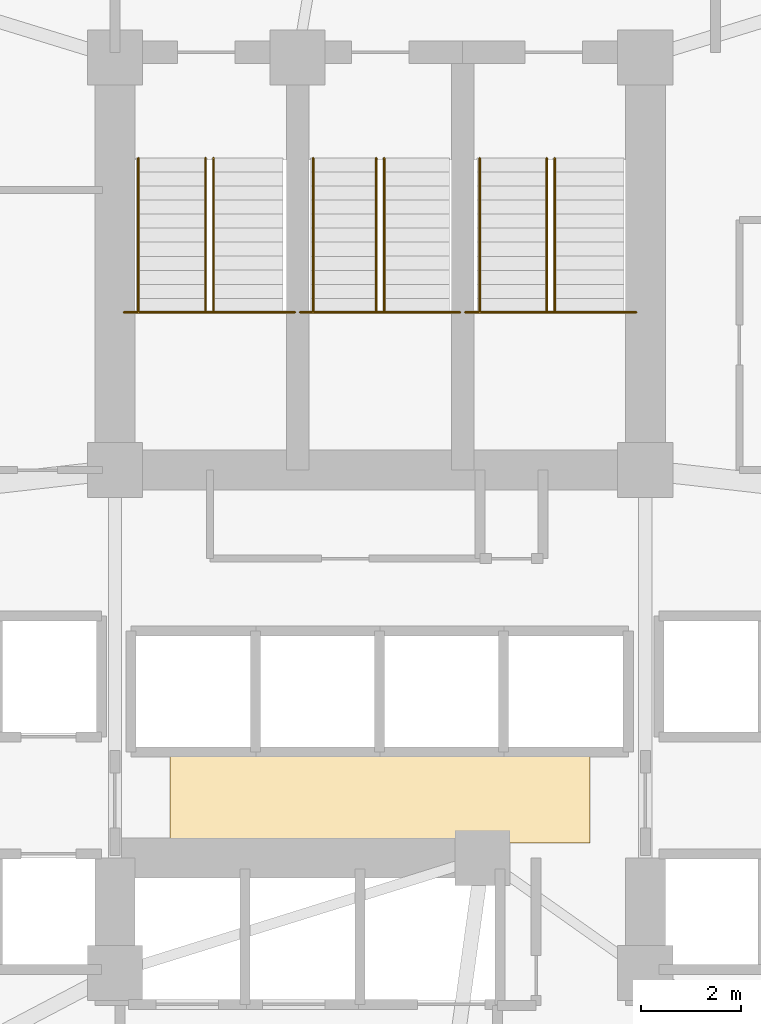
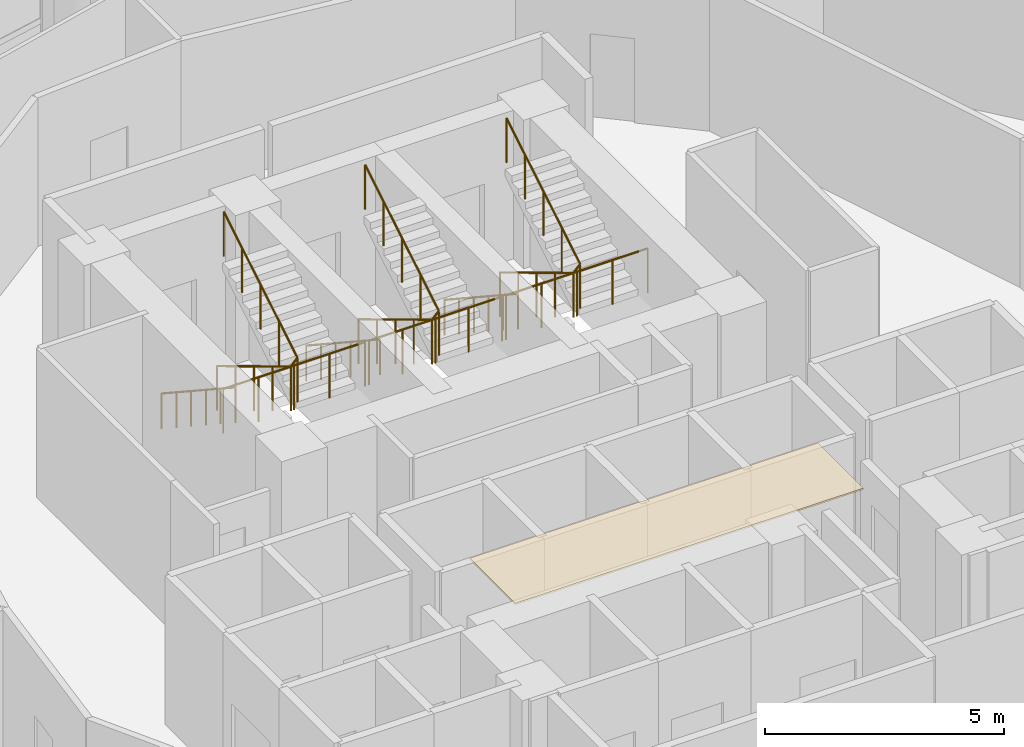
# One storey, part 25 of 25: 9 railings, 1 covering.
"""IFC4 building model written with IfcOpenShell, lengths in metres."""

from ifc_helpers import new_model, si_unit, direction, frame, origin, place, context, subcontext, project, spatial, polyline, outline, extrude, material, layer, layer_set, type_object, element, save


model = new_model("IFC4")

# Units and contexts
model_context = context("Model", 3, precision=1e-05, world=origin(), true_north=direction((0.0, 1.0)))
body_context = subcontext(model_context, "Body", "Model", "MODEL_VIEW")
ifc_project = project(units=[si_unit("LENGTHUNIT", "METRE"), si_unit("AREAUNIT", "SQUARE_METRE"), si_unit("VOLUMEUNIT", "CUBIC_METRE"), si_unit("PLANEANGLEUNIT", "RADIAN"), si_unit("MASSUNIT", "GRAM", prefix="KILO")], contexts=[model_context])

# Site, building, storey
site_placement = place(None, origin())
site = spatial("IfcSite", under=ifc_project, at=site_placement, CompositionType="ELEMENT")
building_placement = place(site_placement, origin())
building = spatial("IfcBuilding", under=site, at=building_placement, Name="Nuhasar Tower", CompositionType="ELEMENT")
storey_placement = place(building_placement, frame((0.0, 0.0, 45.300048828125)))
storey = spatial("IfcBuildingStorey", under=building, at=storey_placement, Name="L10", CompositionType="ELEMENT", Elevation=45.300048828125)

# Covering
ifc_material_1 = material(Name="Mineral Fibre Acoustic", Category="insulation")
ifc_layer = layer(ifc_material_1, 0.0400390625)
ifc_layer_set = layer_set([ifc_layer], Name="Mineral Fibre Acoustic")
covering_type = type_object("IfcCoveringType", Name="COV-CEIL-AC60", PredefinedType="CEILING", material=ifc_layer_set)
covering_placement = place(storey_placement, frame((0.0, 0.0, 3.75)))
element("IfcCovering", 1, at=covering_placement, inside=storey, type_object=covering_type, Name="L10 Lift Lobby Acoustic Ceiling", PredefinedType="CEILING", context=body_context, shape_type="SweptSolid", body=[
    extrude(outline(polyline([(34.800048828125, 21.60009765625), (43.199951171875, 21.60009765625), (43.199951171875, 23.5), (34.800048828125, 23.5), (34.800048828125, 21.60009765625)])), origin(), (0.0, 0.0, 1.0), 0.0400390625),
])

# Railings
ifc_material_2 = material(Name="Steel S355", Category="steel")
railing_type_1 = type_object("IfcRailingType", Name="RLG-STAIR-GUARD-1150", PredefinedType="GUARDRAIL", material=ifc_material_2)
railing_1_placement = place(storey_placement, frame((33.8798828125, 32.205078125, 2.02490234375)))
element("IfcRailing", 2, at=railing_1_placement, inside=storey, type_object=railing_type_1, Name="L10 Stair ST-01 Guardrail LND", PredefinedType="GUARDRAIL", context=body_context, shape_type="SweptSolid", body=[
    extrude(outline(polyline([(0.024169921875, 0.0), (0.01708984375, 0.01708984375), (0.0, 0.024169921875), (-0.01708984375, 0.01708984375), (-0.024169921875, 0.0), (-0.01708984375, -0.01708984375), (0.0, -0.024169921875), (0.01708984375, -0.01708984375), (0.024169921875, 0.0)])), frame((0.0, 0.0, 1.1259765625), z_axis=(1.0, 0.0, 0.0), x_axis=(0.0, 1.0, 0.0)), (0.0, 0.0, 1.0), 3.420166015625),
    extrude(outline(polyline([(0.02099609375, 0.0), (0.014892578125, 0.014892578125), (0.0, 0.02099609375), (-0.014892578125, 0.014892578125), (-0.02099609375, 0.0), (-0.014892578125, -0.014892578125), (0.0, -0.02099609375), (0.014892578125, -0.014892578125), (0.02099609375, 0.0)])), origin(), (0.0, 0.0, 1.0), 1.101806640625),
    extrude(outline(polyline([(0.02099609375, 0.0), (0.014892578125, 0.014892578125), (0.0, 0.02099609375), (-0.014892578125, 0.014892578125), (-0.02099609375, 0.0), (-0.014892578125, -0.014892578125), (0.0, -0.02099609375), (0.014892578125, -0.014892578125), (0.02099609375, 0.0)])), frame((0.85498046875, 0.0, 0.0)), (0.0, 0.0, 1.0), 1.101806640625),
    extrude(outline(polyline([(0.02099609375, 0.0), (0.014892578125, 0.014892578125), (0.0, 0.02099609375), (-0.014892578125, 0.014892578125), (-0.02099609375, 0.0), (-0.014892578125, -0.014892578125), (0.0, -0.02099609375), (0.014892578125, -0.014892578125), (0.02099609375, 0.0)])), frame((1.7099609375, 0.0, 0.0)), (0.0, 0.0, 1.0), 1.101806640625),
    extrude(outline(polyline([(0.02099609375, 0.0), (0.014892578125, 0.014892578125), (0.0, 0.02099609375), (-0.014892578125, 0.014892578125), (-0.02099609375, 0.0), (-0.014892578125, -0.014892578125), (0.0, -0.02099609375), (0.014892578125, -0.014892578125), (0.02099609375, 0.0)])), frame((2.565185546875, 0.0, 0.0)), (0.0, 0.0, 1.0), 1.101806640625),
    extrude(outline(polyline([(0.02099609375, 0.0), (0.014892578125, 0.014892578125), (0.0, 0.02099609375), (-0.014892578125, 0.014892578125), (-0.02099609375, 0.0), (-0.014892578125, -0.014892578125), (0.0, -0.02099609375), (0.014892578125, -0.014892578125), (0.02099609375, 0.0)])), frame((3.420166015625, 0.0, 0.0)), (0.0, 0.0, 1.0), 1.101806640625),
])
railing_2_placement = place(storey_placement, frame((35.510009765625, 35.284912109375, 0.1689453125)))
element("IfcRailing", 3, at=railing_2_placement, inside=storey, type_object=railing_type_1, Name="L10 Stair ST-01 Guardrail SLT", PredefinedType="GUARDRAIL", context=body_context, shape_type="SweptSolid", body=[
    extrude(outline(polyline([(0.024169921875, 0.0), (0.01708984375, 0.01708984375), (0.0, 0.024169921875), (-0.01708984375, 0.01708984375), (-0.024169921875, 0.0), (-0.01708984375, -0.01708984375), (0.0, -0.024169921875), (0.01708984375, -0.01708984375), (0.024169921875, 0.0)])), frame((0.0, 0.0, 1.1259765625), z_axis=(0.0, -0.856502863198, 0.516142272377), x_axis=(1.0, 0.0, 0.0)), (0.0, 0.0, 1.0), 3.595703125),
    extrude(outline(polyline([(0.024169921875, 0.0), (0.01708984375, 0.01708984375), (0.0, 0.024169921875), (-0.01708984375, 0.01708984375), (-0.024169921875, 0.0), (-0.01708984375, -0.01708984375), (0.0, -0.024169921875), (0.01708984375, -0.01708984375), (0.024169921875, 0.0)])), frame((0.0, -3.079833984375, 2.98193359375), z_axis=(0.687424367727, 0.0, 0.726255973232), x_axis=(0.0, 1.0, 0.0)), (0.0, 0.0, 1.0), 0.232666015625),
    extrude(outline(polyline([(0.024169921875, 0.0), (0.01708984375, 0.01708984375), (0.0, 0.024169921875), (-0.01708984375, 0.01708984375), (-0.024169921875, 0.0), (-0.01708984375, -0.01708984375), (0.0, -0.024169921875), (0.01708984375, -0.01708984375), (0.024169921875, 0.0)])), frame((0.159912109375, -3.079833984375, 3.15087890625), z_axis=(0.0, 0.8564728477, 0.51619207777), x_axis=(-1.0, 0.0, 0.0)), (0.0, 0.0, 1.0), 3.595947265625),
    extrude(outline(polyline([(0.02099609375, 0.0), (0.014892578125, 0.014892578125), (0.0, 0.02099609375), (-0.014892578125, 0.014892578125), (-0.02099609375, 0.0), (-0.014892578125, -0.014892578125), (0.0, -0.02099609375), (0.014892578125, -0.014892578125), (0.02099609375, 0.0)])), origin(), (0.0, 0.0, 1.0), 1.101806640625),
    extrude(outline(polyline([(0.02099609375, 0.0), (0.014892578125, 0.014892578125), (0.0, 0.02099609375), (-0.014892578125, 0.014892578125), (-0.02099609375, 0.0), (-0.014892578125, -0.014892578125), (0.0, -0.02099609375), (0.014892578125, -0.014892578125), (0.02099609375, 0.0)])), frame((0.0, -0.77001953125, 0.4638671875)), (0.0, 0.0, 1.0), 1.101806640625),
    extrude(outline(polyline([(0.02099609375, 0.0), (0.014892578125, 0.014892578125), (0.0, 0.02099609375), (-0.014892578125, 0.014892578125), (-0.02099609375, 0.0), (-0.014892578125, -0.014892578125), (0.0, -0.02099609375), (0.014892578125, -0.014892578125), (0.02099609375, 0.0)])), frame((0.0, -1.5400390625, 0.927978515625)), (0.0, 0.0, 1.0), 1.101806640625),
    extrude(outline(polyline([(0.02099609375, 0.0), (0.014892578125, 0.014892578125), (0.0, 0.02099609375), (-0.014892578125, 0.014892578125), (-0.02099609375, 0.0), (-0.014892578125, -0.014892578125), (0.0, -0.02099609375), (0.014892578125, -0.014892578125), (0.02099609375, 0.0)])), frame((0.0, -2.309814453125, 1.39208984375)), (0.0, 0.0, 1.0), 1.101806640625),
    extrude(outline(polyline([(0.02099609375, 0.0), (0.014892578125, 0.014892578125), (0.0, 0.02099609375), (-0.014892578125, 0.014892578125), (-0.02099609375, 0.0), (-0.014892578125, -0.014892578125), (0.0, -0.02099609375), (0.014892578125, -0.014892578125), (0.02099609375, 0.0)])), frame((0.0, -3.079833984375, 1.85595703125)), (0.0, 0.0, 1.0), 1.101806640625),
    extrude(outline(polyline([(0.02099609375, 0.0), (0.014892578125, 0.014892578125), (0.0, 0.02099609375), (-0.014892578125, 0.014892578125), (-0.02099609375, 0.0), (-0.014892578125, -0.014892578125), (0.0, -0.02099609375), (0.014892578125, -0.014892578125), (0.02099609375, 0.0)])), frame((0.159912109375, -3.079833984375, 2.02490234375)), (0.0, 0.0, 1.0), 1.101806640625),
    extrude(outline(polyline([(0.02099609375, 0.0), (0.014892578125, 0.014892578125), (0.0, 0.02099609375), (-0.014892578125, 0.014892578125), (-0.02099609375, 0.0), (-0.014892578125, -0.014892578125), (0.0, -0.02099609375), (0.014892578125, -0.014892578125), (0.02099609375, 0.0)])), frame((0.159912109375, -2.309814453125, 2.489013671875)), (0.0, 0.0, 1.0), 1.101806640625),
    extrude(outline(polyline([(0.02099609375, 0.0), (0.014892578125, 0.014892578125), (0.0, 0.02099609375), (-0.014892578125, 0.014892578125), (-0.02099609375, 0.0), (-0.014892578125, -0.014892578125), (0.0, -0.02099609375), (0.014892578125, -0.014892578125), (0.02099609375, 0.0)])), frame((0.159912109375, -1.5400390625, 2.953125)), (0.0, 0.0, 1.0), 1.101806640625),
    extrude(outline(polyline([(0.02099609375, 0.0), (0.014892578125, 0.014892578125), (0.0, 0.02099609375), (-0.014892578125, 0.014892578125), (-0.02099609375, 0.0), (-0.014892578125, -0.014892578125), (0.0, -0.02099609375), (0.014892578125, -0.014892578125), (0.02099609375, 0.0)])), frame((0.159912109375, -0.77001953125, 3.4169921875)), (0.0, 0.0, 1.0), 1.101806640625),
    extrude(outline(polyline([(0.02099609375, 0.0), (0.014892578125, 0.014892578125), (0.0, 0.02099609375), (-0.014892578125, 0.014892578125), (-0.02099609375, 0.0), (-0.014892578125, -0.014892578125), (0.0, -0.02099609375), (0.014892578125, -0.014892578125), (0.02099609375, 0.0)])), frame((0.159912109375, 0.0, 3.881103515625)), (0.0, 0.0, 1.0), 1.101806640625),
])
railing_3_placement = place(storey_placement, frame((37.39990234375, 32.205078125, 2.02490234375)))
element("IfcRailing", 4, at=railing_3_placement, inside=storey, type_object=railing_type_1, Name="L10 Stair ST-03 Guardrail LND", PredefinedType="GUARDRAIL", context=body_context, shape_type="SweptSolid", body=[
    extrude(outline(polyline([(0.024169921875, 0.0), (0.01708984375, 0.01708984375), (0.0, 0.024169921875), (-0.01708984375, 0.01708984375), (-0.024169921875, 0.0), (-0.01708984375, -0.01708984375), (0.0, -0.024169921875), (0.01708984375, -0.01708984375), (0.024169921875, 0.0)])), frame((0.0, 0.0, 1.1259765625), z_axis=(1.0, 0.0, 0.0), x_axis=(0.0, 1.0, 0.0)), (0.0, 0.0, 1.0), 3.2001953125),
    extrude(outline(polyline([(0.02099609375, 0.0), (0.014892578125, 0.014892578125), (0.0, 0.02099609375), (-0.014892578125, 0.014892578125), (-0.02099609375, 0.0), (-0.014892578125, -0.014892578125), (0.0, -0.02099609375), (0.014892578125, -0.014892578125), (0.02099609375, 0.0)])), origin(), (0.0, 0.0, 1.0), 1.101806640625),
    extrude(outline(polyline([(0.02099609375, 0.0), (0.014892578125, 0.014892578125), (0.0, 0.02099609375), (-0.014892578125, 0.014892578125), (-0.02099609375, 0.0), (-0.014892578125, -0.014892578125), (0.0, -0.02099609375), (0.014892578125, -0.014892578125), (0.02099609375, 0.0)])), frame((0.800048828125, 0.0, 0.0)), (0.0, 0.0, 1.0), 1.101806640625),
    extrude(outline(polyline([(0.02099609375, 0.0), (0.014892578125, 0.014892578125), (0.0, 0.02099609375), (-0.014892578125, 0.014892578125), (-0.02099609375, 0.0), (-0.014892578125, -0.014892578125), (0.0, -0.02099609375), (0.014892578125, -0.014892578125), (0.02099609375, 0.0)])), frame((1.60009765625, 0.0, 0.0)), (0.0, 0.0, 1.0), 1.101806640625),
    extrude(outline(polyline([(0.02099609375, 0.0), (0.014892578125, 0.014892578125), (0.0, 0.02099609375), (-0.014892578125, 0.014892578125), (-0.02099609375, 0.0), (-0.014892578125, -0.014892578125), (0.0, -0.02099609375), (0.014892578125, -0.014892578125), (0.02099609375, 0.0)])), frame((2.400146484375, 0.0, 0.0)), (0.0, 0.0, 1.0), 1.101806640625),
    extrude(outline(polyline([(0.02099609375, 0.0), (0.014892578125, 0.014892578125), (0.0, 0.02099609375), (-0.014892578125, 0.014892578125), (-0.02099609375, 0.0), (-0.014892578125, -0.014892578125), (0.0, -0.02099609375), (0.014892578125, -0.014892578125), (0.02099609375, 0.0)])), frame((3.2001953125, 0.0, 0.0)), (0.0, 0.0, 1.0), 1.101806640625),
])
railing_4_placement = place(storey_placement, frame((38.919921875, 35.284912109375, 0.1689453125)))
element("IfcRailing", 5, at=railing_4_placement, inside=storey, type_object=railing_type_1, Name="L10 Stair ST-03 Guardrail SLT", PredefinedType="GUARDRAIL", context=body_context, shape_type="SweptSolid", body=[
    extrude(outline(polyline([(0.024169921875, 0.0), (0.01708984375, 0.01708984375), (0.0, 0.024169921875), (-0.01708984375, 0.01708984375), (-0.024169921875, 0.0), (-0.01708984375, -0.01708984375), (0.0, -0.024169921875), (0.01708984375, -0.01708984375), (0.024169921875, 0.0)])), frame((0.0, 0.0, 1.1259765625), z_axis=(0.0, -0.856502863198, 0.516142272377), x_axis=(1.0, 0.0, 0.0)), (0.0, 0.0, 1.0), 3.595703125),
    extrude(outline(polyline([(0.024169921875, 0.0), (0.01708984375, 0.01708984375), (0.0, 0.024169921875), (-0.01708984375, 0.01708984375), (-0.024169921875, 0.0), (-0.01708984375, -0.01708984375), (0.0, -0.024169921875), (0.01708984375, -0.01708984375), (0.024169921875, 0.0)])), frame((0.0, -3.079833984375, 2.98193359375), z_axis=(0.687977326998, 0.0, 0.725732180309), x_axis=(0.0, 1.0, 0.0)), (0.0, 0.0, 1.0), 0.23291015625),
    extrude(outline(polyline([(0.024169921875, 0.0), (0.01708984375, 0.01708984375), (0.0, 0.024169921875), (-0.01708984375, 0.01708984375), (-0.024169921875, 0.0), (-0.01708984375, -0.01708984375), (0.0, -0.024169921875), (0.01708984375, -0.01708984375), (0.024169921875, 0.0)])), frame((0.16015625, -3.079833984375, 3.15087890625), z_axis=(0.0, 0.8564728477, 0.51619207777), x_axis=(-1.0, 0.0, 0.0)), (0.0, 0.0, 1.0), 3.595947265625),
    extrude(outline(polyline([(0.02099609375, 0.0), (0.014892578125, 0.014892578125), (0.0, 0.02099609375), (-0.014892578125, 0.014892578125), (-0.02099609375, 0.0), (-0.014892578125, -0.014892578125), (0.0, -0.02099609375), (0.014892578125, -0.014892578125), (0.02099609375, 0.0)])), origin(), (0.0, 0.0, 1.0), 1.101806640625),
    extrude(outline(polyline([(0.02099609375, 0.0), (0.014892578125, 0.014892578125), (0.0, 0.02099609375), (-0.014892578125, 0.014892578125), (-0.02099609375, 0.0), (-0.014892578125, -0.014892578125), (0.0, -0.02099609375), (0.014892578125, -0.014892578125), (0.02099609375, 0.0)])), frame((0.0, -0.77001953125, 0.4638671875)), (0.0, 0.0, 1.0), 1.101806640625),
    extrude(outline(polyline([(0.02099609375, 0.0), (0.014892578125, 0.014892578125), (0.0, 0.02099609375), (-0.014892578125, 0.014892578125), (-0.02099609375, 0.0), (-0.014892578125, -0.014892578125), (0.0, -0.02099609375), (0.014892578125, -0.014892578125), (0.02099609375, 0.0)])), frame((0.0, -1.5400390625, 0.927978515625)), (0.0, 0.0, 1.0), 1.101806640625),
    extrude(outline(polyline([(0.02099609375, 0.0), (0.014892578125, 0.014892578125), (0.0, 0.02099609375), (-0.014892578125, 0.014892578125), (-0.02099609375, 0.0), (-0.014892578125, -0.014892578125), (0.0, -0.02099609375), (0.014892578125, -0.014892578125), (0.02099609375, 0.0)])), frame((0.0, -2.309814453125, 1.39208984375)), (0.0, 0.0, 1.0), 1.101806640625),
    extrude(outline(polyline([(0.02099609375, 0.0), (0.014892578125, 0.014892578125), (0.0, 0.02099609375), (-0.014892578125, 0.014892578125), (-0.02099609375, 0.0), (-0.014892578125, -0.014892578125), (0.0, -0.02099609375), (0.014892578125, -0.014892578125), (0.02099609375, 0.0)])), frame((0.0, -3.079833984375, 1.85595703125)), (0.0, 0.0, 1.0), 1.101806640625),
    extrude(outline(polyline([(0.02099609375, 0.0), (0.014892578125, 0.014892578125), (0.0, 0.02099609375), (-0.014892578125, 0.014892578125), (-0.02099609375, 0.0), (-0.014892578125, -0.014892578125), (0.0, -0.02099609375), (0.014892578125, -0.014892578125), (0.02099609375, 0.0)])), frame((0.16015625, -3.079833984375, 2.02490234375)), (0.0, 0.0, 1.0), 1.101806640625),
    extrude(outline(polyline([(0.02099609375, 0.0), (0.014892578125, 0.014892578125), (0.0, 0.02099609375), (-0.014892578125, 0.014892578125), (-0.02099609375, 0.0), (-0.014892578125, -0.014892578125), (0.0, -0.02099609375), (0.014892578125, -0.014892578125), (0.02099609375, 0.0)])), frame((0.16015625, -2.309814453125, 2.489013671875)), (0.0, 0.0, 1.0), 1.101806640625),
    extrude(outline(polyline([(0.02099609375, 0.0), (0.014892578125, 0.014892578125), (0.0, 0.02099609375), (-0.014892578125, 0.014892578125), (-0.02099609375, 0.0), (-0.014892578125, -0.014892578125), (0.0, -0.02099609375), (0.014892578125, -0.014892578125), (0.02099609375, 0.0)])), frame((0.16015625, -1.5400390625, 2.953125)), (0.0, 0.0, 1.0), 1.101806640625),
    extrude(outline(polyline([(0.02099609375, 0.0), (0.014892578125, 0.014892578125), (0.0, 0.02099609375), (-0.014892578125, 0.014892578125), (-0.02099609375, 0.0), (-0.014892578125, -0.014892578125), (0.0, -0.02099609375), (0.014892578125, -0.014892578125), (0.02099609375, 0.0)])), frame((0.16015625, -0.77001953125, 3.4169921875)), (0.0, 0.0, 1.0), 1.101806640625),
    extrude(outline(polyline([(0.02099609375, 0.0), (0.014892578125, 0.014892578125), (0.0, 0.02099609375), (-0.014892578125, 0.014892578125), (-0.02099609375, 0.0), (-0.014892578125, -0.014892578125), (0.0, -0.02099609375), (0.014892578125, -0.014892578125), (0.02099609375, 0.0)])), frame((0.16015625, 0.0, 3.881103515625)), (0.0, 0.0, 1.0), 1.101806640625),
])
railing_5_placement = place(storey_placement, frame((40.699951171875, 32.205078125, 2.02490234375)))
element("IfcRailing", 6, at=railing_5_placement, inside=storey, type_object=railing_type_1, Name="L10 Stair ST-02 Guardrail LND", PredefinedType="GUARDRAIL", context=body_context, shape_type="SweptSolid", body=[
    extrude(outline(polyline([(0.024169921875, 0.0), (0.01708984375, 0.01708984375), (0.0, 0.024169921875), (-0.01708984375, 0.01708984375), (-0.024169921875, 0.0), (-0.01708984375, -0.01708984375), (0.0, -0.024169921875), (0.01708984375, -0.01708984375), (0.024169921875, 0.0)])), frame((0.0, 0.0, 1.1259765625), z_axis=(1.0, 0.0, 0.0), x_axis=(0.0, 1.0, 0.0)), (0.0, 0.0, 1.0), 3.420166015625),
    extrude(outline(polyline([(0.02099609375, 0.0), (0.014892578125, 0.014892578125), (0.0, 0.02099609375), (-0.014892578125, 0.014892578125), (-0.02099609375, 0.0), (-0.014892578125, -0.014892578125), (0.0, -0.02099609375), (0.014892578125, -0.014892578125), (0.02099609375, 0.0)])), origin(), (0.0, 0.0, 1.0), 1.101806640625),
    extrude(outline(polyline([(0.02099609375, 0.0), (0.014892578125, 0.014892578125), (0.0, 0.02099609375), (-0.014892578125, 0.014892578125), (-0.02099609375, 0.0), (-0.014892578125, -0.014892578125), (0.0, -0.02099609375), (0.014892578125, -0.014892578125), (0.02099609375, 0.0)])), frame((0.85498046875, 0.0, 0.0)), (0.0, 0.0, 1.0), 1.101806640625),
    extrude(outline(polyline([(0.02099609375, 0.0), (0.014892578125, 0.014892578125), (0.0, 0.02099609375), (-0.014892578125, 0.014892578125), (-0.02099609375, 0.0), (-0.014892578125, -0.014892578125), (0.0, -0.02099609375), (0.014892578125, -0.014892578125), (0.02099609375, 0.0)])), frame((1.7099609375, 0.0, 0.0)), (0.0, 0.0, 1.0), 1.101806640625),
    extrude(outline(polyline([(0.02099609375, 0.0), (0.014892578125, 0.014892578125), (0.0, 0.02099609375), (-0.014892578125, 0.014892578125), (-0.02099609375, 0.0), (-0.014892578125, -0.014892578125), (0.0, -0.02099609375), (0.014892578125, -0.014892578125), (0.02099609375, 0.0)])), frame((2.565185546875, 0.0, 0.0)), (0.0, 0.0, 1.0), 1.101806640625),
    extrude(outline(polyline([(0.02099609375, 0.0), (0.014892578125, 0.014892578125), (0.0, 0.02099609375), (-0.014892578125, 0.014892578125), (-0.02099609375, 0.0), (-0.014892578125, -0.014892578125), (0.0, -0.02099609375), (0.014892578125, -0.014892578125), (0.02099609375, 0.0)])), frame((3.420166015625, 0.0, 0.0)), (0.0, 0.0, 1.0), 1.101806640625),
])
railing_6_placement = place(storey_placement, frame((42.330078125, 35.284912109375, 0.1689453125)))
element("IfcRailing", 7, at=railing_6_placement, inside=storey, type_object=railing_type_1, Name="L10 Stair ST-02 Guardrail SLT", PredefinedType="GUARDRAIL", context=body_context, shape_type="SweptSolid", body=[
    extrude(outline(polyline([(0.024169921875, 0.0), (0.01708984375, 0.01708984375), (0.0, 0.024169921875), (-0.01708984375, 0.01708984375), (-0.024169921875, 0.0), (-0.01708984375, -0.01708984375), (0.0, -0.024169921875), (0.01708984375, -0.01708984375), (0.024169921875, 0.0)])), frame((0.0, 0.0, 1.1259765625), z_axis=(0.0, -0.856502863198, 0.516142272377), x_axis=(1.0, 0.0, 0.0)), (0.0, 0.0, 1.0), 3.595703125),
    extrude(outline(polyline([(0.024169921875, 0.0), (0.01708984375, 0.01708984375), (0.0, 0.024169921875), (-0.01708984375, 0.01708984375), (-0.024169921875, 0.0), (-0.01708984375, -0.01708984375), (0.0, -0.024169921875), (0.01708984375, -0.01708984375), (0.024169921875, 0.0)])), frame((0.0, -3.079833984375, 2.98193359375), z_axis=(0.687424367727, 0.0, 0.726255973232), x_axis=(0.0, 1.0, 0.0)), (0.0, 0.0, 1.0), 0.232666015625),
    extrude(outline(polyline([(0.024169921875, 0.0), (0.01708984375, 0.01708984375), (0.0, 0.024169921875), (-0.01708984375, 0.01708984375), (-0.024169921875, 0.0), (-0.01708984375, -0.01708984375), (0.0, -0.024169921875), (0.01708984375, -0.01708984375), (0.024169921875, 0.0)])), frame((0.159912109375, -3.079833984375, 3.15087890625), z_axis=(0.0, 0.8564728477, 0.51619207777), x_axis=(-1.0, 0.0, 0.0)), (0.0, 0.0, 1.0), 3.595947265625),
    extrude(outline(polyline([(0.02099609375, 0.0), (0.014892578125, 0.014892578125), (0.0, 0.02099609375), (-0.014892578125, 0.014892578125), (-0.02099609375, 0.0), (-0.014892578125, -0.014892578125), (0.0, -0.02099609375), (0.014892578125, -0.014892578125), (0.02099609375, 0.0)])), origin(), (0.0, 0.0, 1.0), 1.101806640625),
    extrude(outline(polyline([(0.02099609375, 0.0), (0.014892578125, 0.014892578125), (0.0, 0.02099609375), (-0.014892578125, 0.014892578125), (-0.02099609375, 0.0), (-0.014892578125, -0.014892578125), (0.0, -0.02099609375), (0.014892578125, -0.014892578125), (0.02099609375, 0.0)])), frame((0.0, -0.77001953125, 0.4638671875)), (0.0, 0.0, 1.0), 1.101806640625),
    extrude(outline(polyline([(0.02099609375, 0.0), (0.014892578125, 0.014892578125), (0.0, 0.02099609375), (-0.014892578125, 0.014892578125), (-0.02099609375, 0.0), (-0.014892578125, -0.014892578125), (0.0, -0.02099609375), (0.014892578125, -0.014892578125), (0.02099609375, 0.0)])), frame((0.0, -1.5400390625, 0.927978515625)), (0.0, 0.0, 1.0), 1.101806640625),
    extrude(outline(polyline([(0.02099609375, 0.0), (0.014892578125, 0.014892578125), (0.0, 0.02099609375), (-0.014892578125, 0.014892578125), (-0.02099609375, 0.0), (-0.014892578125, -0.014892578125), (0.0, -0.02099609375), (0.014892578125, -0.014892578125), (0.02099609375, 0.0)])), frame((0.0, -2.309814453125, 1.39208984375)), (0.0, 0.0, 1.0), 1.101806640625),
    extrude(outline(polyline([(0.02099609375, 0.0), (0.014892578125, 0.014892578125), (0.0, 0.02099609375), (-0.014892578125, 0.014892578125), (-0.02099609375, 0.0), (-0.014892578125, -0.014892578125), (0.0, -0.02099609375), (0.014892578125, -0.014892578125), (0.02099609375, 0.0)])), frame((0.0, -3.079833984375, 1.85595703125)), (0.0, 0.0, 1.0), 1.101806640625),
    extrude(outline(polyline([(0.02099609375, 0.0), (0.014892578125, 0.014892578125), (0.0, 0.02099609375), (-0.014892578125, 0.014892578125), (-0.02099609375, 0.0), (-0.014892578125, -0.014892578125), (0.0, -0.02099609375), (0.014892578125, -0.014892578125), (0.02099609375, 0.0)])), frame((0.159912109375, -3.079833984375, 2.02490234375)), (0.0, 0.0, 1.0), 1.101806640625),
    extrude(outline(polyline([(0.02099609375, 0.0), (0.014892578125, 0.014892578125), (0.0, 0.02099609375), (-0.014892578125, 0.014892578125), (-0.02099609375, 0.0), (-0.014892578125, -0.014892578125), (0.0, -0.02099609375), (0.014892578125, -0.014892578125), (0.02099609375, 0.0)])), frame((0.159912109375, -2.309814453125, 2.489013671875)), (0.0, 0.0, 1.0), 1.101806640625),
    extrude(outline(polyline([(0.02099609375, 0.0), (0.014892578125, 0.014892578125), (0.0, 0.02099609375), (-0.014892578125, 0.014892578125), (-0.02099609375, 0.0), (-0.014892578125, -0.014892578125), (0.0, -0.02099609375), (0.014892578125, -0.014892578125), (0.02099609375, 0.0)])), frame((0.159912109375, -1.5400390625, 2.953125)), (0.0, 0.0, 1.0), 1.101806640625),
    extrude(outline(polyline([(0.02099609375, 0.0), (0.014892578125, 0.014892578125), (0.0, 0.02099609375), (-0.014892578125, 0.014892578125), (-0.02099609375, 0.0), (-0.014892578125, -0.014892578125), (0.0, -0.02099609375), (0.014892578125, -0.014892578125), (0.02099609375, 0.0)])), frame((0.159912109375, -0.77001953125, 3.4169921875)), (0.0, 0.0, 1.0), 1.101806640625),
    extrude(outline(polyline([(0.02099609375, 0.0), (0.014892578125, 0.014892578125), (0.0, 0.02099609375), (-0.014892578125, 0.014892578125), (-0.02099609375, 0.0), (-0.014892578125, -0.014892578125), (0.0, -0.02099609375), (0.014892578125, -0.014892578125), (0.02099609375, 0.0)])), frame((0.159912109375, 0.0, 3.881103515625)), (0.0, 0.0, 1.0), 1.101806640625),
])
ifc_material_3 = material(Name="Stainless Steel 316L", Category="steel")
railing_type_2 = type_object("IfcRailingType", Name="RLG-STAIR-HAND-920", PredefinedType="HANDRAIL", material=ifc_material_3)
railing_7_placement = place(storey_placement, frame((34.169921875, 35.284912109375, 0.1689453125)))
element("IfcRailing", 8, at=railing_7_placement, inside=storey, type_object=railing_type_2, Name="L10 Stair ST-01 Handrail HND1", PredefinedType="HANDRAIL", context=body_context, shape_type="SweptSolid", body=[
    extrude(outline(polyline([(0.024169921875, 0.0), (0.01708984375, 0.01708984375), (0.0, 0.024169921875), (-0.01708984375, 0.01708984375), (-0.024169921875, 0.0), (-0.01708984375, -0.01708984375), (0.0, -0.024169921875), (0.01708984375, -0.01708984375), (0.024169921875, 0.0)])), frame((0.0, 0.0, 0.89599609375), z_axis=(0.0, -0.83557951683, 0.54936952141), x_axis=(1.0, 0.0, 0.0)), (0.0, 0.0, 1.0), 3.685791015625),
    extrude(outline(polyline([(0.02099609375, 0.0), (0.014892578125, 0.014892578125), (0.0, 0.02099609375), (-0.014892578125, 0.014892578125), (-0.02099609375, 0.0), (-0.014892578125, -0.014892578125), (0.0, -0.02099609375), (0.014892578125, -0.014892578125), (0.02099609375, 0.0)])), origin(), (0.0, 0.0, 1.0), 0.871826171875),
    extrude(outline(polyline([(0.02099609375, 0.0), (0.014892578125, 0.014892578125), (0.0, 0.02099609375), (-0.014892578125, 0.014892578125), (-0.02099609375, 0.0), (-0.014892578125, -0.014892578125), (0.0, -0.02099609375), (0.014892578125, -0.014892578125), (0.02099609375, 0.0)])), frame((0.0, -0.615966796875, 0.405029296875)), (0.0, 0.0, 1.0), 0.871826171875),
    extrude(outline(polyline([(0.02099609375, 0.0), (0.014892578125, 0.014892578125), (0.0, 0.02099609375), (-0.014892578125, 0.014892578125), (-0.02099609375, 0.0), (-0.014892578125, -0.014892578125), (0.0, -0.02099609375), (0.014892578125, -0.014892578125), (0.02099609375, 0.0)])), frame((0.0, -1.23193359375, 0.81005859375)), (0.0, 0.0, 1.0), 0.871826171875),
    extrude(outline(polyline([(0.02099609375, 0.0), (0.014892578125, 0.014892578125), (0.0, 0.02099609375), (-0.014892578125, 0.014892578125), (-0.02099609375, 0.0), (-0.014892578125, -0.014892578125), (0.0, -0.02099609375), (0.014892578125, -0.014892578125), (0.02099609375, 0.0)])), frame((0.0, -1.847900390625, 1.21484375)), (0.0, 0.0, 1.0), 0.871826171875),
    extrude(outline(polyline([(0.02099609375, 0.0), (0.014892578125, 0.014892578125), (0.0, 0.02099609375), (-0.014892578125, 0.014892578125), (-0.02099609375, 0.0), (-0.014892578125, -0.014892578125), (0.0, -0.02099609375), (0.014892578125, -0.014892578125), (0.02099609375, 0.0)])), frame((0.0, -2.4638671875, 1.619873046875)), (0.0, 0.0, 1.0), 0.871826171875),
    extrude(outline(polyline([(0.02099609375, 0.0), (0.014892578125, 0.014892578125), (0.0, 0.02099609375), (-0.014892578125, 0.014892578125), (-0.02099609375, 0.0), (-0.014892578125, -0.014892578125), (0.0, -0.02099609375), (0.014892578125, -0.014892578125), (0.02099609375, 0.0)])), frame((0.0, -3.079833984375, 2.02490234375)), (0.0, 0.0, 1.0), 0.871826171875),
])
railing_8_placement = place(storey_placement, frame((37.659912109375, 35.284912109375, 0.1689453125)))
element("IfcRailing", 9, at=railing_8_placement, inside=storey, type_object=railing_type_2, Name="L10 Stair ST-03 Handrail HND1", PredefinedType="HANDRAIL", context=body_context, shape_type="SweptSolid", body=[
    extrude(outline(polyline([(0.024169921875, 0.0), (0.01708984375, 0.01708984375), (0.0, 0.024169921875), (-0.01708984375, 0.01708984375), (-0.024169921875, 0.0), (-0.01708984375, -0.01708984375), (0.0, -0.024169921875), (0.01708984375, -0.01708984375), (0.024169921875, 0.0)])), frame((0.0, 0.0, 0.89599609375), z_axis=(0.0, -0.83557951683, 0.54936952141), x_axis=(1.0, 0.0, 0.0)), (0.0, 0.0, 1.0), 3.685791015625),
    extrude(outline(polyline([(0.02099609375, 0.0), (0.014892578125, 0.014892578125), (0.0, 0.02099609375), (-0.014892578125, 0.014892578125), (-0.02099609375, 0.0), (-0.014892578125, -0.014892578125), (0.0, -0.02099609375), (0.014892578125, -0.014892578125), (0.02099609375, 0.0)])), origin(), (0.0, 0.0, 1.0), 0.871826171875),
    extrude(outline(polyline([(0.02099609375, 0.0), (0.014892578125, 0.014892578125), (0.0, 0.02099609375), (-0.014892578125, 0.014892578125), (-0.02099609375, 0.0), (-0.014892578125, -0.014892578125), (0.0, -0.02099609375), (0.014892578125, -0.014892578125), (0.02099609375, 0.0)])), frame((0.0, -0.615966796875, 0.405029296875)), (0.0, 0.0, 1.0), 0.871826171875),
    extrude(outline(polyline([(0.02099609375, 0.0), (0.014892578125, 0.014892578125), (0.0, 0.02099609375), (-0.014892578125, 0.014892578125), (-0.02099609375, 0.0), (-0.014892578125, -0.014892578125), (0.0, -0.02099609375), (0.014892578125, -0.014892578125), (0.02099609375, 0.0)])), frame((0.0, -1.23193359375, 0.81005859375)), (0.0, 0.0, 1.0), 0.871826171875),
    extrude(outline(polyline([(0.02099609375, 0.0), (0.014892578125, 0.014892578125), (0.0, 0.02099609375), (-0.014892578125, 0.014892578125), (-0.02099609375, 0.0), (-0.014892578125, -0.014892578125), (0.0, -0.02099609375), (0.014892578125, -0.014892578125), (0.02099609375, 0.0)])), frame((0.0, -1.847900390625, 1.21484375)), (0.0, 0.0, 1.0), 0.871826171875),
    extrude(outline(polyline([(0.02099609375, 0.0), (0.014892578125, 0.014892578125), (0.0, 0.02099609375), (-0.014892578125, 0.014892578125), (-0.02099609375, 0.0), (-0.014892578125, -0.014892578125), (0.0, -0.02099609375), (0.014892578125, -0.014892578125), (0.02099609375, 0.0)])), frame((0.0, -2.4638671875, 1.619873046875)), (0.0, 0.0, 1.0), 0.871826171875),
    extrude(outline(polyline([(0.02099609375, 0.0), (0.014892578125, 0.014892578125), (0.0, 0.02099609375), (-0.014892578125, 0.014892578125), (-0.02099609375, 0.0), (-0.014892578125, -0.014892578125), (0.0, -0.02099609375), (0.014892578125, -0.014892578125), (0.02099609375, 0.0)])), frame((0.0, -3.079833984375, 2.02490234375)), (0.0, 0.0, 1.0), 0.871826171875),
])
railing_9_placement = place(storey_placement, frame((40.989990234375, 35.284912109375, 0.1689453125)))
element("IfcRailing", 10, at=railing_9_placement, inside=storey, type_object=railing_type_2, Name="L10 Stair ST-02 Handrail HND1", PredefinedType="HANDRAIL", context=body_context, shape_type="SweptSolid", body=[
    extrude(outline(polyline([(0.024169921875, 0.0), (0.01708984375, 0.01708984375), (0.0, 0.024169921875), (-0.01708984375, 0.01708984375), (-0.024169921875, 0.0), (-0.01708984375, -0.01708984375), (0.0, -0.024169921875), (0.01708984375, -0.01708984375), (0.024169921875, 0.0)])), frame((0.0, 0.0, 0.89599609375), z_axis=(0.0, -0.83557951683, 0.54936952141), x_axis=(1.0, 0.0, 0.0)), (0.0, 0.0, 1.0), 3.685791015625),
    extrude(outline(polyline([(0.02099609375, 0.0), (0.014892578125, 0.014892578125), (0.0, 0.02099609375), (-0.014892578125, 0.014892578125), (-0.02099609375, 0.0), (-0.014892578125, -0.014892578125), (0.0, -0.02099609375), (0.014892578125, -0.014892578125), (0.02099609375, 0.0)])), origin(), (0.0, 0.0, 1.0), 0.871826171875),
    extrude(outline(polyline([(0.02099609375, 0.0), (0.014892578125, 0.014892578125), (0.0, 0.02099609375), (-0.014892578125, 0.014892578125), (-0.02099609375, 0.0), (-0.014892578125, -0.014892578125), (0.0, -0.02099609375), (0.014892578125, -0.014892578125), (0.02099609375, 0.0)])), frame((0.0, -0.615966796875, 0.405029296875)), (0.0, 0.0, 1.0), 0.871826171875),
    extrude(outline(polyline([(0.02099609375, 0.0), (0.014892578125, 0.014892578125), (0.0, 0.02099609375), (-0.014892578125, 0.014892578125), (-0.02099609375, 0.0), (-0.014892578125, -0.014892578125), (0.0, -0.02099609375), (0.014892578125, -0.014892578125), (0.02099609375, 0.0)])), frame((0.0, -1.23193359375, 0.81005859375)), (0.0, 0.0, 1.0), 0.871826171875),
    extrude(outline(polyline([(0.02099609375, 0.0), (0.014892578125, 0.014892578125), (0.0, 0.02099609375), (-0.014892578125, 0.014892578125), (-0.02099609375, 0.0), (-0.014892578125, -0.014892578125), (0.0, -0.02099609375), (0.014892578125, -0.014892578125), (0.02099609375, 0.0)])), frame((0.0, -1.847900390625, 1.21484375)), (0.0, 0.0, 1.0), 0.871826171875),
    extrude(outline(polyline([(0.02099609375, 0.0), (0.014892578125, 0.014892578125), (0.0, 0.02099609375), (-0.014892578125, 0.014892578125), (-0.02099609375, 0.0), (-0.014892578125, -0.014892578125), (0.0, -0.02099609375), (0.014892578125, -0.014892578125), (0.02099609375, 0.0)])), frame((0.0, -2.4638671875, 1.619873046875)), (0.0, 0.0, 1.0), 0.871826171875),
    extrude(outline(polyline([(0.02099609375, 0.0), (0.014892578125, 0.014892578125), (0.0, 0.02099609375), (-0.014892578125, 0.014892578125), (-0.02099609375, 0.0), (-0.014892578125, -0.014892578125), (0.0, -0.02099609375), (0.014892578125, -0.014892578125), (0.02099609375, 0.0)])), frame((0.0, -3.079833984375, 2.02490234375)), (0.0, 0.0, 1.0), 0.871826171875),
])

save(model, "model.ifc")
